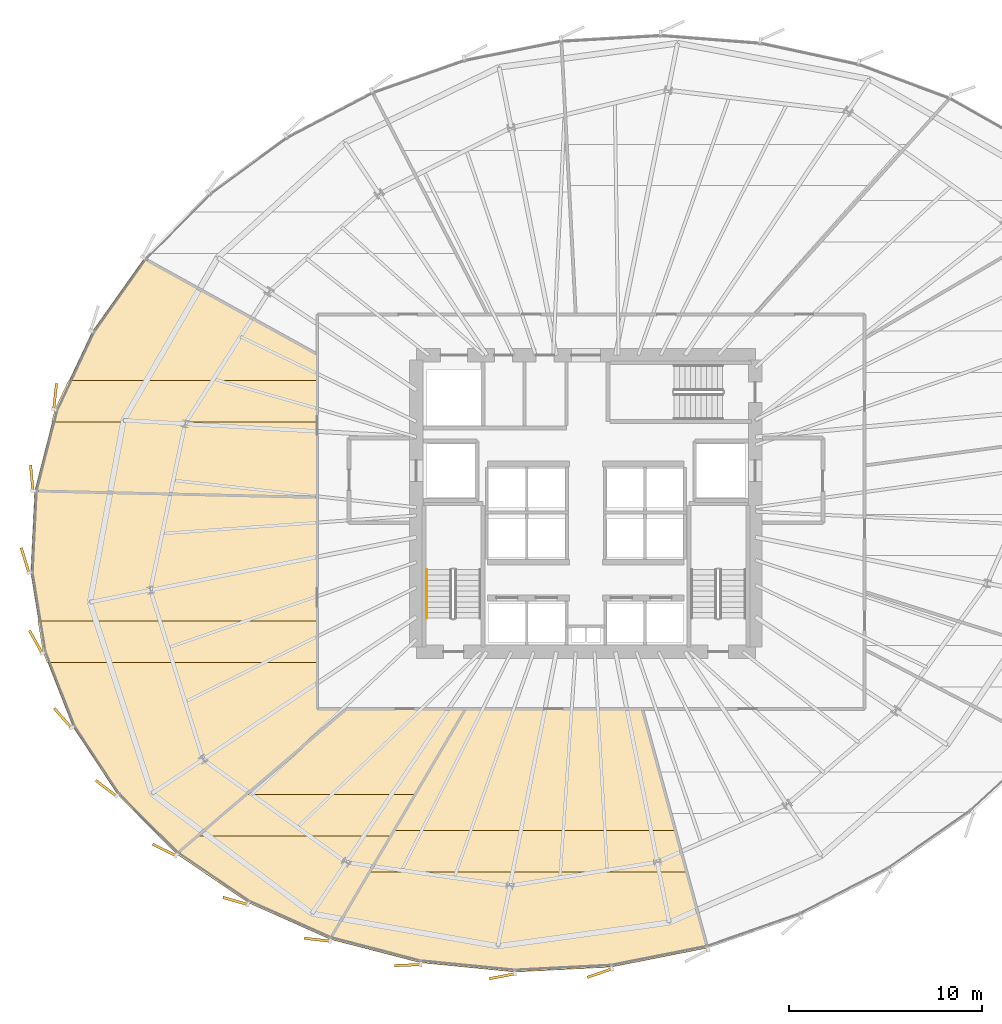
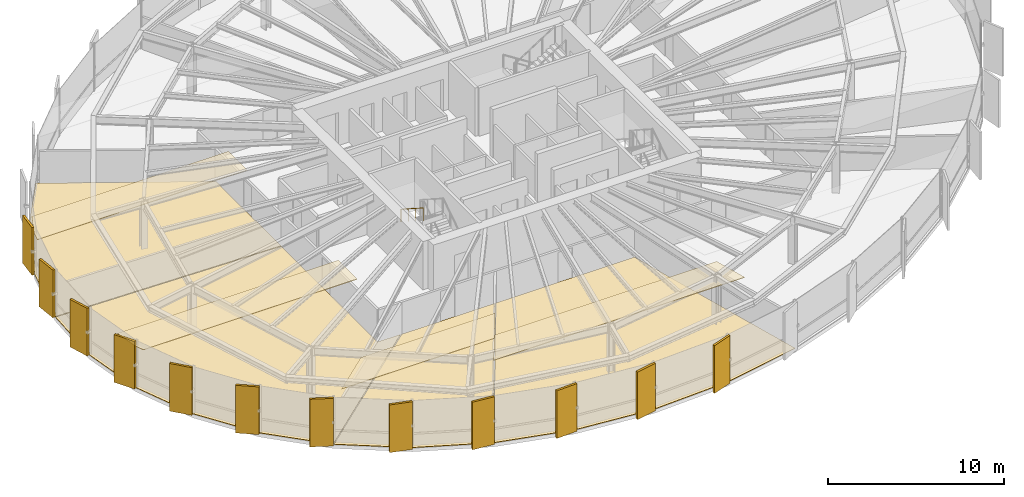
# One storey, part 31 of 35: 20 coverings, 1 railing.
"""IFC4 building model written with IfcOpenShell, lengths in metres."""

import ifcopenshell
import ifcopenshell.guid

model = None  # the IFC model being written
_history = None  # IfcOwnerHistory: only IFC2X3 demands one
_inside = {}  # id of a spatial element -> (the spatial element, [elements in it])
_under = {}  # id of a project, library or spatial element -> (it, [spatial elements below it])
_declared = {}  # id of a project -> (the project, [libraries it declares])
_typed = {}  # id of a type object -> (the type object, [elements of that type])
_made_of = {}  # id of a material, layer set ... -> (it, [elements and type objects made of it])


def new_model(schema):
    """Start an empty IFC model of exactly this schema.

    Asked for "IFC4X3", IfcOpenShell would pick the latest addendum, in which some entities
    have other attributes; the version numbers below select the first issue.
    IFC2X3 requires an IfcOwnerHistory on every rooted entity: one is made here for all.
    """
    global model, _history
    if schema == "IFC4X3":
        model = ifcopenshell.file(schema_version=(4, 3, 0, 0))
    else:
        model = ifcopenshell.file(schema=schema)
    _inside.clear()
    _under.clear()
    _declared.clear()
    _typed.clear()
    _made_of.clear()
    _history = None
    if model.schema == "IFC2X3":
        org = make("IfcOrganization", Name="unknown")
        user = make(
            "IfcPersonAndOrganization",
            ThePerson=make("IfcPerson", FamilyName="unknown"),
            TheOrganization=org,
        )
        app = make(
            "IfcApplication",
            ApplicationDeveloper=org,
            Version="unknown",
            ApplicationFullName="unknown",
            ApplicationIdentifier="unknown",
        )
        _history = make(
            "IfcOwnerHistory",
            OwningUser=user,
            OwningApplication=app,
            ChangeAction="ADDED",
            CreationDate=0,
        )
    return model


def make(cls, **values):
    """One entity of the class cls with the attributes given. An attribute that is None is left unset."""
    return model.create_entity(
        cls, **{name: value for name, value in values.items() if value is not None}
    )


def rooted(cls, **values):
    """An entity with a GlobalId (a new one), such as an element, a storey or a relation."""
    return make(cls, GlobalId=ifcopenshell.guid.new(), OwnerHistory=_history, **values)


def si_unit(unit_type, name, prefix=None):
    """IfcSIUnit, for example si_unit("LENGTHUNIT", "METRE", prefix="MILLI")."""
    return make("IfcSIUnit", UnitType=unit_type, Prefix=prefix, Name=name)


def assignment(units):
    """IfcUnitAssignment: the units of a project."""
    return None if units is None else make("IfcUnitAssignment", Units=units)


def point(xyz):
    """IfcCartesianPoint."""
    return None if xyz is None else make("IfcCartesianPoint", Coordinates=xyz)


def direction(xyz):
    """IfcDirection."""
    return None if xyz is None else make("IfcDirection", DirectionRatios=xyz)


def frame(location, z_axis=None, x_axis=None):
    """IfcAxis2Placement3D, a coordinate frame: its origin and axes. An axis left out is left unset."""
    return make(
        "IfcAxis2Placement3D",
        Location=point(location),
        Axis=direction(z_axis),
        RefDirection=direction(x_axis),
    )


def frame_2d(location, x_axis=None):
    """IfcAxis2Placement2D, a coordinate frame in the plane: its origin and x axis."""
    return make(
        "IfcAxis2Placement2D", Location=point(location), RefDirection=direction(x_axis)
    )


def origin():
    """The frame at (0, 0, 0) with its axes left unset."""
    return frame((0.0, 0.0, 0.0))


def origin_2d():
    """The frame at (0, 0) in the plane with its x axis left unset."""
    return frame_2d((0.0, 0.0))


def place(relative_to, where):
    """IfcLocalPlacement: puts the frame where relative to a parent placement (None: the world)."""
    return make(
        "IfcLocalPlacement", PlacementRelTo=relative_to, RelativePlacement=where
    )


def context(
    kind, dimensions, precision=None, world=None, true_north=None, identifier=None
):
    """IfcGeometricRepresentationContext, for example the 3D "Model" context."""
    return make(
        "IfcGeometricRepresentationContext",
        ContextIdentifier=identifier,
        ContextType=kind,
        CoordinateSpaceDimension=dimensions,
        Precision=precision,
        WorldCoordinateSystem=world,
        TrueNorth=true_north,
    )


def subcontext(parent, identifier, kind, view, scale=None):
    """IfcGeometricRepresentationSubContext, for example "Body" below "Model"."""
    return make(
        "IfcGeometricRepresentationSubContext",
        ContextIdentifier=identifier,
        ContextType=kind,
        ParentContext=parent,
        TargetScale=scale,
        TargetView=view,
    )


def project(units=None, contexts=None):
    """IfcProject with its units and contexts."""
    return rooted(
        "IfcProject",
        Name="project",
        RepresentationContexts=contexts,
        UnitsInContext=assignment(units),
    )


def spatial(cls, under=None, at=None, **own):
    """A site, building, storey or space (cls), placed at a placement, below another one or the project."""
    s = rooted(cls, ObjectPlacement=at, **own)
    if under is not None:
        _under.setdefault(under.id(), (under, []))[1].append(s)
    return s


def polyline(points):
    """IfcPolyline through the points."""
    return make("IfcPolyline", Points=[point(p) for p in points])


def profile(cls, at=None, kind="AREA", **sizes):
    """A parametric profile (cls). Its sizes go by their IFC names, for example OverallWidth=200.0."""
    return make(cls, ProfileType=kind, Position=at, **sizes)


def rectangle(**sizes):
    """IfcRectangleProfileDef."""
    return profile("IfcRectangleProfileDef", **sizes)


def circle(**sizes):
    """IfcCircleProfileDef."""
    return profile("IfcCircleProfileDef", **sizes)


def outline(outer, holes=None, kind="AREA"):
    """IfcArbitraryClosedProfileDef: a profile drawn as a closed curve; with holes, ...WithVoids."""
    if holes is None:
        return make("IfcArbitraryClosedProfileDef", ProfileType=kind, OuterCurve=outer)
    return make(
        "IfcArbitraryProfileDefWithVoids",
        ProfileType=kind,
        OuterCurve=outer,
        InnerCurves=holes,
    )


def extrude(swept, where, along, depth):
    """IfcExtrudedAreaSolid: the profile swept, set in the frame where, extruded along a direction by depth."""
    return make(
        "IfcExtrudedAreaSolid",
        SweptArea=swept,
        Position=where,
        ExtrudedDirection=direction(along),
        Depth=depth,
    )


def shape(context_of_items, identifier, shape_type, items):
    """IfcShapeRepresentation: the items that make up one representation, for example the "Body"."""
    return make(
        "IfcShapeRepresentation",
        ContextOfItems=context_of_items,
        RepresentationIdentifier=identifier,
        RepresentationType=shape_type,
        Items=items,
    )


def source(mapping_origin, context_of_items, identifier, shape_type, items):
    """IfcRepresentationMap: a shape defined once, which mapped items show again and again."""
    return make(
        "IfcRepresentationMap",
        MappingOrigin=mapping_origin,
        MappedRepresentation=shape(context_of_items, identifier, shape_type, items),
    )


def transform(
    local_origin,
    x_axis=None,
    y_axis=None,
    z_axis=None,
    scale=None,
    scale2=None,
    scale3=None,
    uniform=True,
):
    """IfcCartesianTransformationOperator3D, or its non-uniform kind. x_axis, y_axis, z_axis: its Axis1, 2, 3."""
    if uniform:
        return make(
            "IfcCartesianTransformationOperator3D",
            Axis1=direction(x_axis),
            Axis2=direction(y_axis),
            LocalOrigin=point(local_origin),
            Scale=scale,
            Axis3=direction(z_axis),
        )
    return make(
        "IfcCartesianTransformationOperator3DnonUniform",
        Axis1=direction(x_axis),
        Axis2=direction(y_axis),
        LocalOrigin=point(local_origin),
        Scale=scale,
        Axis3=direction(z_axis),
        Scale2=scale2,
        Scale3=scale3,
    )


def mapped(mapping_source, mapping_target):
    """IfcMappedItem: shows the shape of a source again, moved by a transform."""
    return make(
        "IfcMappedItem", MappingSource=mapping_source, MappingTarget=mapping_target
    )


def material(Name=None, Category=None):
    """IfcMaterial."""
    return make("IfcMaterial", Name=Name, Category=Category)


def layer(
    of_material, thickness, ventilated=None, Name=None, Category=None, Priority=None
):
    """IfcMaterialLayer: one layer of a wall or slab, of a material (None: an air gap)."""
    return make(
        "IfcMaterialLayer",
        Material=of_material,
        LayerThickness=thickness,
        IsVentilated=ventilated,
        Name=Name,
        Category=Category,
        Priority=Priority,
    )


def layer_set(layers, Name=None):
    """IfcMaterialLayerSet."""
    return make("IfcMaterialLayerSet", MaterialLayers=layers, LayerSetName=Name)


def made_of(thing, what):
    """Note that an element or type object is made of a material, layer set ...; save() writes the relation."""
    if what is not None:
        _made_of.setdefault(what.id(), (what, []))[1].append(thing)
    return thing


def type_object(cls, material=None, **own):
    """A type object (cls), such as IfcWallType, which elements share."""
    return made_of(rooted(cls, **own), material)


def element(
    cls,
    number,
    at=None,
    inside=None,
    cuts=None,
    type_object=None,
    material=None,
    context=None,
    identifier="Body",
    shape_type=None,
    held_by="IfcProductDefinitionShape",
    body=None,
    shapes=None,
    **own,
):
    """One element of the class cls, such as IfcWall. Its Tag is "e" and its number.

    at: its placement. inside: the storey or other place that contains it. cuts: it is an
    opening in that element (IfcRelVoidsElement). A single representation is given by context,
    identifier, shape_type and body (its items); several are given by shapes. held_by: the class
    of the entity that holds the representations. save() writes the other relations.
    """
    e = rooted(cls, Tag="e%d" % number, ObjectPlacement=at, **own)
    if body is not None:
        shapes = [shape(context, identifier, shape_type, body)]
    if shapes is not None:
        e.Representation = make(held_by, Representations=shapes)
    if inside is not None:
        _inside.setdefault(inside.id(), (inside, []))[1].append(e)
    if cuts is not None:
        rooted(
            "IfcRelVoidsElement", RelatingBuildingElement=cuts, RelatedOpeningElement=e
        )
    if type_object is not None:
        _typed.setdefault(type_object.id(), (type_object, []))[1].append(e)
    return made_of(e, material)


def aggregate(whole, parts):
    """IfcRelAggregates: a whole, such as a stair, and the parts it consists of."""
    return rooted("IfcRelAggregates", RelatingObject=whole, RelatedObjects=parts)


def save(model, path):
    """Write the relations noted so far, then the file.

    IfcRelAggregates (storeys below a building ...), IfcRelContainedInSpatialStructure (elements
    in a storey), IfcRelDefinesByType, IfcRelAssociatesMaterial and IfcRelDeclares: one each for
    every whole, place, type object, material and project.
    """
    for whole, parts in _under.values():
        aggregate(whole, parts)
    for where, things in _inside.values():
        rooted(
            "IfcRelContainedInSpatialStructure",
            RelatedElements=things,
            RelatingStructure=where,
        )
    for kind, things in _typed.values():
        rooted("IfcRelDefinesByType", RelatedObjects=things, RelatingType=kind)
    for what, things in _made_of.values():
        rooted("IfcRelAssociatesMaterial", RelatedObjects=things, RelatingMaterial=what)
    for by, libraries in _declared.values():
        rooted("IfcRelDeclares", RelatingContext=by, RelatedDefinitions=libraries)
    model.write(path)


model = new_model("IFC4")

# Units and contexts
model_context = context("Model", 3, precision=1e-05, world=origin(), true_north=direction((0.0, 1.0)))
body_context = subcontext(model_context, "Body", "Model", "MODEL_VIEW")
ifc_project = project(units=[si_unit("LENGTHUNIT", "METRE"), si_unit("AREAUNIT", "SQUARE_METRE"), si_unit("VOLUMEUNIT", "CUBIC_METRE"), si_unit("PLANEANGLEUNIT", "RADIAN"), si_unit("MASSUNIT", "GRAM", prefix="KILO"), si_unit("THERMODYNAMICTEMPERATUREUNIT", "KELVIN")], contexts=[model_context])

# Site, building, storey
site_placement = place(None, origin())
site = spatial("IfcSite", under=ifc_project, at=site_placement, CompositionType="ELEMENT")
building_placement = place(site_placement, origin())
building = spatial("IfcBuilding", under=site, at=building_placement, Name="Kethvar Cultural Tower", CompositionType="ELEMENT")
storey_placement = place(building_placement, frame((0.0, 0.0, 96.39990234375)))
storey = spatial("IfcBuildingStorey", under=building, at=storey_placement, Name="L23", CompositionType="ELEMENT", Elevation=96.39990234375)

# Coverings
ifc_material_1 = material(Name="Acoustic Mineral Fibre Ceiling")
ifc_layer_1 = layer(ifc_material_1, 0.0400390625, Name="Acoustic Mineral Fibre Ceiling")
ifc_layer_set_1 = layer_set([ifc_layer_1], Name="Acoustic Mineral Fibre Ceiling (40 mm)")
covering_type_1 = type_object("IfcCoveringType", Name="CV-ACOUSTIC-CEIL", PredefinedType="CEILING", material=ifc_layer_set_1)
covering_1_placement = place(storey_placement, frame((0.0, 0.0, 2.89013671875)))
element("IfcCovering", 1, at=covering_1_placement, inside=storey, type_object=covering_type_1, Name="L23 Room 01 Acoustic Ceiling Panel", PredefinedType="CEILING", context=body_context, shape_type="SweptSolid", body=[
    extrude(outline(polyline([(29.15234375, 12.685546875), (37.967041015625, 12.685546875), (36.70751953125, 10.535400390625), (26.646484375, 10.535400390625), (29.15234375, 12.685546875)])), origin(), (0.0, 0.0, 1.0), 0.0400390625),
])
covering_2_placement = place(storey_placement, frame((0.0, 0.0, 2.89013671875)))
element("IfcCovering", 2, at=covering_2_placement, inside=storey, type_object=covering_type_1, Name="L23 Room 02 Acoustic Ceiling Panel", PredefinedType="CEILING", context=body_context, shape_type="SweptSolid", body=[
    extrude(outline(polyline([(36.82421875, 10.814208984375), (51.467529296875, 10.814208984375), (52.0556640625, 8.6640625), (35.564453125, 8.6640625), (36.82421875, 10.814208984375)])), origin(), (0.0, 0.0, 1.0), 0.0400390625),
])
covering_3_placement = place(storey_placement, frame((0.0, 0.0, 2.89013671875)))
element("IfcCovering", 3, at=covering_3_placement, inside=storey, type_object=covering_type_1, Name="L23 Room 11 Acoustic Ceiling Panel", PredefinedType="CEILING", context=body_context, shape_type="SweptSolid", body=[
    extrude(outline(polyline([(19.22412109375, 32.677978515625), (19.927978515625, 34.1748046875), (32.8701171875, 34.1748046875), (32.8701171875, 32.024658203125), (19.05712890625, 32.024658203125), (19.22412109375, 32.677978515625)])), origin(), (0.0, 0.0, 1.0), 0.0400390625),
])
covering_4_placement = place(storey_placement, frame((0.0, 0.0, 2.89013671875)))
element("IfcCovering", 4, at=covering_4_placement, inside=storey, type_object=covering_type_1, Name="L23 Room 12 Acoustic Ceiling Panel", PredefinedType="CEILING", context=body_context, shape_type="SweptSolid", body=[
    extrude(outline(polyline([(18.609619140625, 20.085693359375), (18.349365234375, 21.687744140625), (32.8701171875, 21.687744140625), (32.8701171875, 19.53759765625), (18.82421875, 19.53759765625), (18.609619140625, 20.085693359375)])), origin(), (0.0, 0.0, 1.0), 0.0400390625),
])
ifc_material_2 = material(Name="Honed Warm Limestone", Category="masonry")
ifc_layer_2 = layer(ifc_material_2, 0.030029296875, Name="Honed Warm Limestone", Category="masonry")
ifc_layer_set_2 = layer_set([ifc_layer_2], Name="Honed Warm Limestone (30 mm)")
covering_type_2 = type_object("IfcCoveringType", Name="CV-STONE-FLOOR", PredefinedType="FLOORING", material=ifc_layer_set_2)
covering_5_placement = place(storey_placement, origin())
element("IfcCovering", 5, at=covering_5_placement, inside=storey, type_object=covering_type_2, Name="L23 Room 01 Floor Finish", PredefinedType="FLOORING", context=body_context, shape_type="SweptSolid", body=[
    extrude(outline(polyline([(33.523193359375, 5.18017578125), (29.2900390625, 7.068603515625), (25.59423828125, 9.580078125), (34.382568359375, 17.1201171875), (40.51904296875, 17.1201171875), (33.523193359375, 5.18017578125)])), origin(), (0.0, 0.0, 1.0), 0.030029296875),
])
covering_6_placement = place(storey_placement, origin())
element("IfcCovering", 6, at=covering_6_placement, inside=storey, type_object=covering_type_2, Name="L23 Room 02 Floor Finish", PredefinedType="FLOORING", context=body_context, shape_type="SweptSolid", body=[
    extrude(outline(polyline([(48.12744140625, 3.73779296875), (43.10205078125, 3.482177734375), (38.189208984375, 3.9658203125), (33.56201171875, 5.167236328125), (40.5654296875, 17.1201171875), (49.700927734375, 17.1201171875), (53.093017578125, 4.720703125), (48.12744140625, 3.73779296875)])), origin(), (0.0, 0.0, 1.0), 0.030029296875),
])
covering_7_placement = place(storey_placement, origin())
element("IfcCovering", 7, at=covering_7_placement, inside=storey, type_object=covering_type_2, Name="L23 Room 11 Floor Finish", PredefinedType="FLOORING", context=body_context, shape_type="SweptSolid", body=[
    extrude(outline(polyline([(18.191650390625, 28.47607421875), (19.26220703125, 32.666015625), (21.17529296875, 36.73095703125), (23.857421875, 40.511474609375), (32.830078125, 35.53125), (32.830078125, 28.140380859375), (18.191650390625, 28.47607421875)])), origin(), (0.0, 0.0, 1.0), 0.030029296875),
])
covering_8_placement = place(storey_placement, origin())
element("IfcCovering", 8, at=covering_8_placement, inside=storey, type_object=covering_type_2, Name="L23 Room 12 Floor Finish", PredefinedType="FLOORING", context=body_context, shape_type="SweptSolid", body=[
    extrude(outline(polyline([(22.50341796875, 12.671630859375), (20.171142578125, 16.208984375), (18.6474609375, 20.098388671875), (17.97900390625, 24.2216796875), (18.18505859375, 28.436279296875), (32.830078125, 28.100341796875), (32.830078125, 17.137939453125), (34.321044921875, 17.1201171875), (25.5625, 9.60546875), (22.50341796875, 12.671630859375)])), origin(), (0.0, 0.0, 1.0), 0.030029296875),
])

# Railing
ifc_material_3 = material(Name="Steel S355J2", Category="steel")
railing_type = type_object("IfcRailingType", Name="RL-STAIR-HANDRAIL", PredefinedType="HANDRAIL", material=ifc_material_3)
railing_placement = place(storey_placement, frame((38.5400390625, 24.3701171875, 1.97998046875)))
element("IfcRailing", 9, at=railing_placement, inside=storey, type_object=railing_type, Name="L23 ST-01 stair handrail 2", PredefinedType="HANDRAIL", context=body_context, shape_type="SweptSolid", body=[
    extrude(circle(Radius=0.02392578125, at=origin_2d()), frame((0.0, 0.0, 0.8759765625), z_axis=(0.0, -0.841162588446, 0.540782303519), x_axis=(1.0, 0.0, 0.0)), (0.0, 0.0, 1.0), 2.995849609375),
    extrude(circle(Radius=0.02099609375, at=origin_2d()), origin(), (0.0, 0.0, 1.0), 0.851806640625),
    extrude(circle(Radius=0.02099609375, at=origin_2d()), frame((0.0, -0.840087890625, 0.5400390625)), (0.0, 0.0, 1.0), 0.851806640625),
    extrude(circle(Radius=0.02099609375, at=origin_2d()), frame((0.0, -1.679931640625, 1.080078125)), (0.0, 0.0, 1.0), 0.851806640625),
    extrude(circle(Radius=0.02099609375, at=origin_2d()), frame((0.0, -2.52001953125, 1.6201171875)), (0.0, 0.0, 1.0), 0.851806640625),
])

# Coverings
ifc_material_4 = material(Name="Extruded Architectural Terracotta", Category="masonry")
ifc_layer_3 = layer(ifc_material_4, 0.135009765625, Name="Extruded Architectural Terracotta", Category="masonry")
ifc_layer_set_3 = layer_set([ifc_layer_3], Name="Extruded Architectural Terracotta (135 mm)")
covering_type_3 = type_object("IfcCoveringType", Name="Terracotta Facade Fin FIN-02", PredefinedType="CLADDING", material=ifc_layer_set_3)
shared_shape = source(origin(), body_context, "Body", "SweptSolid", [
    extrude(rectangle(XDim=1.35009765625, YDim=0.135009765625, at=origin_2d()), origin(), (0.0, 0.0, 1.0), 3.31005859375),
])
for number, where, z_axis, x_axis, name in (
    (10, (19.240234375, 33.363525390625, 0.02001953125), (0.0, 0.0, 1.0), (0.110254732764, 0.993903362457, 0.0), "L23 Vertical Terracotta Fin 3.4"),
    (11, (18.025146484375, 29.1328125, 0.02001953125), (0.0, 0.0, 1.0), (-0.090632580198, 0.995884398616, 0.0), "L23 Vertical Terracotta Fin 3.5"),
    (12, (17.68017578125, 24.8525390625, 0.02001953125), (0.0, 0.0, 1.0), (-0.295874773066, 0.955226736782, 0.0), "L23 Vertical Terracotta Fin 3.6"),
    (13, (18.236572265625, 20.615478515625, 0.02001953125), (0.0, 0.0, 1.0), (-0.490751690644, 0.871299476719, 0.0), "L23 Vertical Terracotta Fin 4.1"),
    (14, (19.639892578125, 16.662109375, 0.02001953125), (0.0, 0.0, 1.0), (-0.661311865324, 0.75011106963, 0.0), "L23 Vertical Terracotta Fin 4.2"),
    (15, (21.892578125, 13.009521484375, 0.02001953125), (0.0, 0.0, 1.0), (-0.797899658444, 0.602790291109, 0.0), "L23 Vertical Terracotta Fin 4.3"),
    (16, (24.910888671875, 9.81005859375, 0.02001953125), (0.0, 0.0, 1.0), (-0.897258369674, 0.441505852792, 0.0), "L23 Vertical Terracotta Fin 4.4"),
    (17, (28.598876953125, 7.16455078125, 0.02001953125), (0.0, 0.0, 1.0), (-0.961069030524, 0.276308375854, 0.0), "L23 Vertical Terracotta Fin 4.5"),
    (18, (32.840576171875, 5.154296875, 0.02001953125), (0.0, 0.0, 1.0), (-0.993452764783, 0.114243617521, 0.0), "L23 Vertical Terracotta Fin 4.6"),
    (19, (37.542236328125, 3.83447265625, 0.02001953125), (0.0, 0.0, 1.0), (-0.999137386589, -0.041526891525, 0.0), "L23 Vertical Terracotta Fin 5.1"),
    (20, (42.44287109375, 3.254638671875, 0.02001953125), (0.0, 0.0, 1.0), (-0.98192569436, -0.189266824235, 0.0), "L23 Vertical Terracotta Fin 5.2"),
    (21, (47.508056640625, 3.41748046875, 0.02001953125), (0.0, 0.0, 1.0), (-0.944376370237, -0.328866646739, 0.0), "L23 Vertical Terracotta Fin 5.3"),
):
    element("IfcCovering", number, at=place(storey_placement, frame(where, z_axis=z_axis, x_axis=x_axis)), inside=storey, type_object=covering_type_3, Name=name, PredefinedType="CLADDING", context=body_context, shape_type="MappedRepresentation", body=[
        mapped(shared_shape, transform((0.0, 0.0, 0.0), scale=1.0)),
    ])

save(model, "model.ifc")
